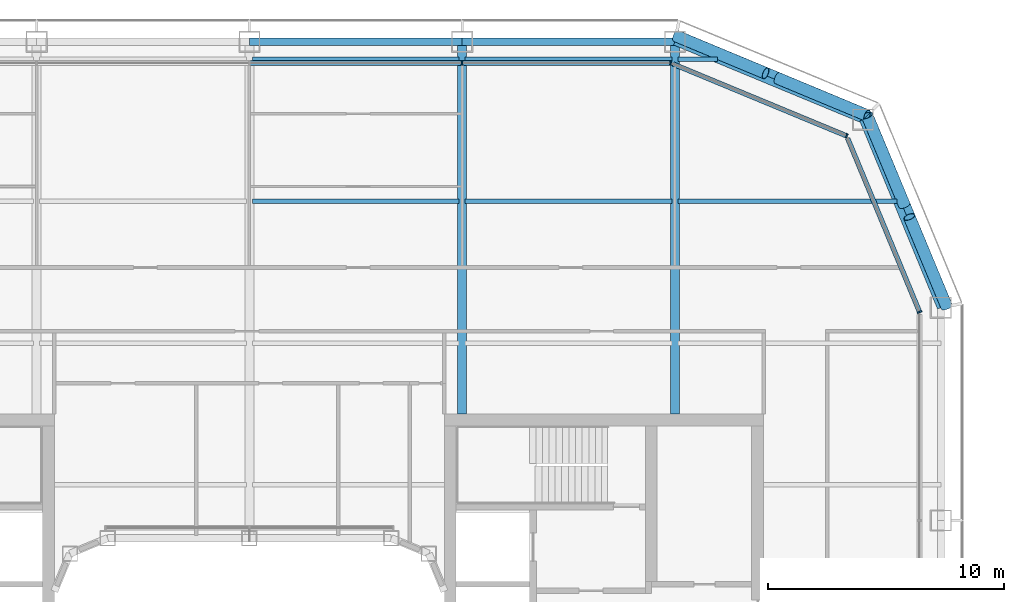
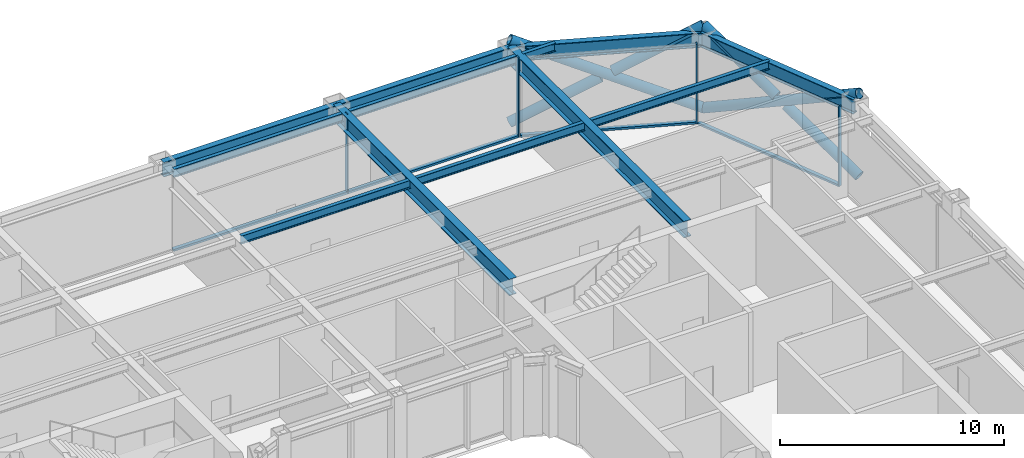
# One storey, part 9 of 23: 14 members, 12 beams, 3 elements without a shape of their own.
"""IFC4 building model written with IfcOpenShell, lengths in metres."""

from ifc_helpers import new_model, si_unit, direction, frame, origin, origin_2d, place, context, subcontext, project, spatial, rectangle, hollow_circle, i_section, extrude, material, layer, layer_set, material_profile, profile_set, type_object, element, aggregate, save


model = new_model("IFC4")

# Units and contexts
model_context = context("Model", 3, precision=1e-05, world=origin(), true_north=direction((0.0, 1.0)))
body_context = subcontext(model_context, "Body", "Model", "MODEL_VIEW")
ifc_project = project(units=[si_unit("LENGTHUNIT", "METRE"), si_unit("AREAUNIT", "SQUARE_METRE"), si_unit("VOLUMEUNIT", "CUBIC_METRE"), si_unit("PLANEANGLEUNIT", "RADIAN"), si_unit("MASSUNIT", "GRAM", prefix="KILO")], contexts=[model_context])

# Site, building, storey
site_placement = place(None, origin())
site = spatial("IfcSite", under=ifc_project, at=site_placement, CompositionType="ELEMENT")
building_placement = place(site_placement, origin())
building = spatial("IfcBuilding", under=site, at=building_placement, Name="Siwar Civic Tower", CompositionType="ELEMENT")
storey_placement = place(building_placement, frame((0.0, 0.0, 145.199951171875)))
storey = spatial("IfcBuildingStorey", under=building, at=storey_placement, Name="L31", CompositionType="ELEMENT", Elevation=145.199951171875)

# Curtain wall, member
ifc_material_1 = material(Name="Aluminium clad insulated panel", Category="aluminium")
ifc_layer_1 = layer(ifc_material_1, 0.199951171875)
ifc_layer_set_1 = layer_set([ifc_layer_1], Name="Aluminium clad insulated panel")
curtain_wall_type_1 = type_object("IfcCurtainWallType", Name="ENV-CW-BX", PredefinedType="NOTDEFINED", material=ifc_layer_set_1)
curtain_wall_1_placement = place(storey_placement, origin())
curtain_wall_1 = element("IfcCurtainWall", 1, at=curtain_wall_1_placement, inside=storey, type_object=curtain_wall_type_1, Name="Curtain wall B NE1", PredefinedType="NOTDEFINED")
ifc_material_2 = material(Name="Aluminium 6063-T6", Category="aluminium")
ifc_material_profile_1 = material_profile(ifc_material_2, rectangle(XDim=0.199951171875, YDim=0.06494140625, at=origin_2d()), Name="AL 200x65")
ifc_profile_set_1 = profile_set([ifc_material_profile_1], Name="Aluminium 6063-T6")
member_type_1 = type_object("IfcMemberType", Name="ENV-MULLION-B", PredefinedType="MULLION", material=ifc_profile_set_1)
member_1_placement = place(storey_placement, frame((28.35009765625, 17.821044921875, 0.0), z_axis=(0.0, 0.0, 1.0), x_axis=(-0.923879532511, -0.382683432365, 0.0)))
member_1 = element("IfcMember", 2, at=member_1_placement, type_object=member_type_1, Name="Mullion B NE1 1", PredefinedType="MULLION", context=body_context, shape_type="SweptSolid", body=[
    extrude(rectangle(XDim=0.199951171875, YDim=0.06494140625, at=origin_2d()), origin(), (0.0, 0.0, 1.0), 4.35009765625),
])

curtain_wall_2_placement = place(storey_placement, origin())
curtain_wall_2 = element("IfcCurtainWall", 3, at=curtain_wall_2_placement, inside=storey, type_object=curtain_wall_type_1, Name="Curtain wall B NE2", PredefinedType="NOTDEFINED")
member_2_placement = place(storey_placement, frame((25.26611328125, 25.26611328125, 0.0), z_axis=(0.0, 0.0, 1.0), x_axis=(-0.382683432365, -0.923879532511, 0.0)))
member_2 = element("IfcMember", 4, at=member_2_placement, type_object=member_type_1, Name="Mullion B NE2 1", PredefinedType="MULLION", context=body_context, shape_type="SweptSolid", body=[
    extrude(rectangle(XDim=0.199951171875, YDim=0.06494140625, at=origin_2d()), origin(), (0.0, 0.0, 1.0), 4.35009765625),
])

# Curtain wall, members
ifc_material_3 = material(Name="Aluminium and glass", Category="aluminium")
ifc_layer_2 = layer(ifc_material_3, 0.199951171875)
ifc_layer_set_2 = layer_set([ifc_layer_2], Name="Aluminium and glass")
curtain_wall_type_2 = type_object("IfcCurtainWallType", Name="ENV-CW-B", PredefinedType="NOTDEFINED", material=ifc_layer_set_2)
curtain_wall_3_placement = place(storey_placement, origin())
curtain_wall_3 = element("IfcCurtainWall", 5, at=curtain_wall_3_placement, inside=storey, type_object=curtain_wall_type_2, Name="Curtain wall B N", PredefinedType="NOTDEFINED")
member_3_placement = place(storey_placement, frame((17.821044921875, 28.35009765625, 0.0), z_axis=(0.0, 0.0, 1.0), x_axis=(0.0, -1.0, 0.0)))
member_3 = element("IfcMember", 6, at=member_3_placement, type_object=member_type_1, Name="Mullion B N 1", PredefinedType="MULLION", context=body_context, shape_type="SweptSolid", body=[
    extrude(rectangle(XDim=0.199951171875, YDim=0.06494140625, at=origin_2d()), origin(), (0.0, 0.0, 1.0), 4.35009765625),
])
member_4_placement = place(storey_placement, frame((9.0, 28.35009765625, 0.0), z_axis=(0.0, 0.0, 1.0), x_axis=(0.0, -1.0, 0.0)))
member_4 = element("IfcMember", 7, at=member_4_placement, type_object=member_type_1, Name="Mullion B N 2", PredefinedType="MULLION", context=body_context, shape_type="SweptSolid", body=[
    extrude(rectangle(XDim=0.199951171875, YDim=0.06494140625, at=origin_2d()), origin(), (0.0, 0.0, 1.0), 4.35009765625),
])

# Member
ifc_material_4 = material(Name="Aluminium 6063-T6", Category="aluminium")
ifc_material_profile_2 = material_profile(ifc_material_4, rectangle(XDim=0.199951171875, YDim=0.110107421875, at=origin_2d()), Name="AL 200x110")
ifc_profile_set_2 = profile_set([ifc_material_profile_2], Name="Aluminium 6063-T6")
member_type_2 = type_object("IfcMemberType", Name="ENV-TRANSOM-B", PredefinedType="USERDEFINED", material=ifc_profile_set_2)
member_5_placement = place(storey_placement, frame((28.337646484375, 17.85107421875, 0.054931640625), z_axis=(-0.382699695651, 0.92387279587, 0.0), x_axis=(-0.92387279587, -0.382699695651, 0.0)))
member_5 = element("IfcMember", 8, at=member_5_placement, type_object=member_type_2, Name="Transom B NE1 1", ObjectType="TRANSOM", PredefinedType="USERDEFINED", context=body_context, shape_type="SweptSolid", body=[
    extrude(rectangle(XDim=0.199951171875, YDim=0.110107421875, at=origin_2d()), origin(), (0.0, 0.0, 1.0), 7.912353515625),
])

aggregate(curtain_wall_1, [member_1, member_5])

member_6_placement = place(storey_placement, frame((25.236083984375, 25.278564453125, 0.054931640625), z_axis=(-0.923883705044, 0.382673358825, 0.0), x_axis=(-0.382673358825, -0.923883705044, 0.0)))
member_6 = element("IfcMember", 9, at=member_6_placement, type_object=member_type_2, Name="Transom B NE2 1", ObjectType="TRANSOM", PredefinedType="USERDEFINED", context=body_context, shape_type="SweptSolid", body=[
    extrude(rectangle(XDim=0.199951171875, YDim=0.110107421875, at=origin_2d()), origin(), (0.0, 0.0, 1.0), 7.912353515625),
])

aggregate(curtain_wall_2, [member_2, member_6])

member_7_placement = place(storey_placement, frame((17.78857421875, 28.35009765625, 0.054931640625), z_axis=(-1.0, 0.0, 0.0), x_axis=(0.0, -1.0, 0.0)))
member_7 = element("IfcMember", 10, at=member_7_placement, type_object=member_type_2, Name="Transom B N 1", ObjectType="TRANSOM", PredefinedType="USERDEFINED", context=body_context, shape_type="SweptSolid", body=[
    extrude(rectangle(XDim=0.199951171875, YDim=0.110107421875, at=origin_2d()), origin(), (0.0, 0.0, 1.0), 8.756103515625),
])

member_8_placement = place(storey_placement, frame((8.967529296875, 28.35009765625, 0.054931640625), z_axis=(-1.0, 0.0, 0.0), x_axis=(0.0, -1.0, 0.0)))
member_8 = element("IfcMember", 11, at=member_8_placement, type_object=member_type_2, Name="Transom B N 2", ObjectType="TRANSOM", PredefinedType="USERDEFINED", context=body_context, shape_type="SweptSolid", body=[
    extrude(rectangle(XDim=0.199951171875, YDim=0.110107421875, at=origin_2d()), origin(), (0.0, 0.0, 1.0), 8.93505859375),
])

aggregate(curtain_wall_3, [member_3, member_4, member_7, member_8])

# Members
ifc_material_5 = material(Name="Steel S355", Category="steel")
ifc_material_profile_3 = material_profile(ifc_material_5, hollow_circle(Radius=0.25390625, WallThickness=0.02490234375, at=origin_2d()), Name="CHS508x25")
ifc_profile_set_3 = profile_set([ifc_material_profile_3], Name="Steel S355")
member_type_3 = type_object("IfcMemberType", Name="STR-BR-CHS508x25", PredefinedType="BRACE", material=ifc_profile_set_3)
member_9_placement = place(storey_placement, frame((26.1318359375, 26.1318359375, 0.0), z_axis=(-0.821142553604, 0.341671493852, 0.457149315816), x_axis=(-0.384163874976, -0.923264922524, 0.0)))
element("IfcMember", 12, at=member_9_placement, inside=storey, type_object=member_type_3, Name="L31/brc/BNE1-10-0-1", PredefinedType="BRACE", context=body_context, shape_type="SweptSolid", body=[
    extrude(hollow_circle(Radius=0.25390625, WallThickness=0.02490234375, at=origin_2d()), origin(), (0.0, 0.0, 1.0), 9.843505859375),
])
for number, where, z_axis, x_axis, name in (
    (13, (18.048828125, 29.4951171875, 0.0), (0.821126041429, -0.341677318012, 0.457174621391), (0.384176042158, 0.923259859753, 0.0), "L31/brc/BNE1-10-0-2"),
    (14, (22.342529296875, 27.70849609375, 2.390625), (0.821163134736, -0.341670737976, 0.457112910516), (0.384154943021, 0.923268638995, 0.0), "L31/brc/BNE1-10-0-3"),
):
    element("IfcMember", number, at=place(storey_placement, frame(where, z_axis=z_axis, x_axis=x_axis)), inside=storey, type_object=member_type_3, Name=name, PredefinedType="BRACE", context=body_context, shape_type="SweptSolid", body=[
        extrude(hollow_circle(Radius=0.25390625, WallThickness=0.02490234375, at=origin_2d()), origin(), (0.0, 0.0, 1.0), 4.614501953125),
    ])
member_10_placement = place(storey_placement, frame((26.1318359375, 26.1318359375, 0.0), z_axis=(0.341671493852, -0.821142553604, 0.457149315816), x_axis=(0.923264922524, 0.384163874976, 0.0)))
element("IfcMember", 15, at=member_10_placement, inside=storey, type_object=member_type_3, Name="L31/brc/BNE1-10-0-0", PredefinedType="BRACE", context=body_context, shape_type="SweptSolid", body=[
    extrude(hollow_circle(Radius=0.25390625, WallThickness=0.02490234375, at=origin_2d()), origin(), (0.0, 0.0, 1.0), 9.843505859375),
])
for number, where, z_axis, x_axis, name in (
    (16, (29.4951171875, 18.048828125, 0.0), (-0.341677318012, 0.821126041429, 0.457174621391), (-0.923259859753, -0.384176042158, 0.0), "L31/brc/BNE1-10-0-4"),
    (17, (27.70849609375, 22.342529296875, 2.390625), (-0.341670737976, 0.821163134736, 0.457112910516), (-0.923268638995, -0.384154943021, 0.0), "L31/brc/BNE1-10-0-5"),
):
    element("IfcMember", number, at=place(storey_placement, frame(where, z_axis=z_axis, x_axis=x_axis)), inside=storey, type_object=member_type_3, Name=name, PredefinedType="BRACE", context=body_context, shape_type="SweptSolid", body=[
        extrude(hollow_circle(Radius=0.25390625, WallThickness=0.02490234375, at=origin_2d()), origin(), (0.0, 0.0, 1.0), 4.614501953125),
    ])

# Beams
ifc_material_6 = material(Name="Steel S355", Category="steel")
ifc_material_profile_4 = material_profile(ifc_material_6, i_section(OverallWidth=0.18994140625, OverallDepth=0.449951171875, WebThickness=0.009521484375, FlangeThickness=0.0146484375, FilletRadius=0.02099609375, at=origin_2d()), Name="IPE450")
ifc_profile_set_4 = profile_set([ifc_material_profile_4], Name="Steel S355")
beam_type_1 = type_object("IfcBeamType", Name="STR-FB-IPE450", PredefinedType="JOIST", material=ifc_profile_set_4)
for number, where, z_axis, x_axis, name in (
    (18, (0.1298828125, 22.5, 4.125), (1.0, 0.0, 0.0), (0.0, 1.0, 0.0), "L31/bm/F040"),
    (19, (9.1298828125, 22.5, 4.125), (1.0, 0.0, 0.0), (0.0, 1.0, 0.0), "L31/bm/F041"),
):
    element("IfcBeam", number, at=place(storey_placement, frame(where, z_axis=z_axis, x_axis=x_axis)), inside=storey, type_object=beam_type_1, Name=name, PredefinedType="JOIST", context=body_context, shape_type="SweptSolid", body=[
        extrude(i_section(OverallWidth=0.18994140625, OverallDepth=0.449951171875, WebThickness=0.009521484375, FlangeThickness=0.0146484375, FilletRadius=0.02099609375, at=origin_2d()), origin(), (0.0, 0.0, 1.0), 8.740234375),
    ])
beam_1_placement = place(storey_placement, frame((18.1298828125, 22.5, 4.125), z_axis=(1.0, 0.0, 0.0), x_axis=(0.0, 1.0, 0.0)))
element("IfcBeam", 20, at=beam_1_placement, inside=storey, type_object=beam_type_1, Name="L31/bm/F042", PredefinedType="JOIST", context=body_context, shape_type="SweptSolid", body=[
    extrude(i_section(OverallWidth=0.18994140625, OverallDepth=0.449951171875, WebThickness=0.009521484375, FlangeThickness=0.0146484375, FilletRadius=0.02099609375, at=origin_2d()), origin(), (0.0, 0.0, 1.0), 9.256103515625),
])
for number, where, z_axis, x_axis, name in (
    (21, (0.1298828125, 28.5, 4.125), (1.0, 0.0, 0.0), (0.0, 1.0, 0.0), "L31/bm/F046"),
    (22, (9.1298828125, 28.5, 4.125), (1.0, 0.0, 0.0), (0.0, 1.0, 0.0), "L31/bm/F047"),
):
    element("IfcBeam", number, at=place(storey_placement, frame(where, z_axis=z_axis, x_axis=x_axis)), inside=storey, type_object=beam_type_1, Name=name, PredefinedType="JOIST", context=body_context, shape_type="SweptSolid", body=[
        extrude(i_section(OverallWidth=0.18994140625, OverallDepth=0.449951171875, WebThickness=0.009521484375, FlangeThickness=0.0146484375, FilletRadius=0.02099609375, at=origin_2d()), origin(), (0.0, 0.0, 1.0), 8.740234375),
    ])
beam_2_placement = place(storey_placement, frame((18.1298828125, 28.5, 4.125), z_axis=(1.0, 0.0, 0.0), x_axis=(0.0, 1.0, 0.0)))
element("IfcBeam", 23, at=beam_2_placement, inside=storey, type_object=beam_type_1, Name="L31/bm/F048", PredefinedType="JOIST", context=body_context, shape_type="SweptSolid", body=[
    extrude(i_section(OverallWidth=0.18994140625, OverallDepth=0.449951171875, WebThickness=0.009521484375, FlangeThickness=0.0146484375, FilletRadius=0.02099609375, at=origin_2d()), origin(), (0.0, 0.0, 1.0), 1.6806640625),
])
ifc_material_7 = material(Name="Steel S355", Category="steel")
ifc_material_profile_5 = material_profile(ifc_material_7, i_section(OverallWidth=0.3798828125, OverallDepth=0.89990234375, WebThickness=0.01611328125, FlangeThickness=0.035888671875, at=origin_2d()), Name="PG900x380x16x36")
ifc_profile_set_5 = profile_set([ifc_material_profile_5], Name="Steel S355")
beam_type_2 = type_object("IfcBeamType", Name="STR-PG-PG900x380x16x36", PredefinedType="BEAM", material=ifc_profile_set_5)
for number, where, z_axis, x_axis, name in (
    (24, (9.0, 13.5, 3.900146484375), (0.0, 1.0, 0.0), (-1.0, 0.0, 0.0), "L31/bm/G08"),
    (25, (18.0, 13.5, 3.900146484375), (0.0, 1.0, 0.0), (-1.0, 0.0, 0.0), "L31/bm/G10"),
):
    element("IfcBeam", number, at=place(storey_placement, frame(where, z_axis=z_axis, x_axis=x_axis)), inside=storey, type_object=beam_type_2, Name=name, PredefinedType="BEAM", context=body_context, shape_type="SweptSolid", body=[
        extrude(i_section(OverallWidth=0.3798828125, OverallDepth=0.89990234375, WebThickness=0.01611328125, FlangeThickness=0.035888671875, at=origin_2d()), origin(), (0.0, 0.0, 1.0), 15.75),
    ])
ifc_material_8 = material(Name="Steel S355", Category="steel")
ifc_material_profile_6 = material_profile(ifc_material_8, i_section(OverallWidth=0.300048828125, OverallDepth=0.800048828125, WebThickness=0.017578125, FlangeThickness=0.032958984375, FilletRadius=0.030029296875, at=origin_2d()), Name="HEB800")
ifc_profile_set_6 = profile_set([ifc_material_profile_6], Name="Steel S355")
beam_type_3 = type_object("IfcBeamType", Name="STR-SB-HEB800", PredefinedType="BEAM", material=ifc_profile_set_6)
for number, where, z_axis, x_axis, name in (
    (26, (29.25, 18.0, 3.949951171875), (-0.382699877515, 0.923872720536, 0.0), (-0.923872720536, -0.382699877515, 0.0), "L31/bm/SNE1-0"),
    (27, (25.954833984375, 25.954833984375, 3.949951171875), (-0.923872720536, 0.382699877515, 0.0), (-0.382699877515, -0.923872720536, 0.0), "L31/bm/SNE2-0"),
):
    element("IfcBeam", number, at=place(storey_placement, frame(where, z_axis=z_axis, x_axis=x_axis)), inside=storey, type_object=beam_type_3, Name=name, PredefinedType="BEAM", context=body_context, shape_type="SweptSolid", body=[
        extrude(i_section(OverallWidth=0.300048828125, OverallDepth=0.800048828125, WebThickness=0.017578125, FlangeThickness=0.032958984375, FilletRadius=0.030029296875, at=origin_2d()), origin(), (0.0, 0.0, 1.0), 8.6103515625),
    ])
for number, where, z_axis, x_axis, name in (
    (28, (18.0, 29.25, 3.949951171875), (-1.0, 0.0, 0.0), (0.0, -1.0, 0.0), "L31/bm/SN-0"),
    (29, (9.0, 29.25, 3.949951171875), (-1.0, 0.0, 0.0), (0.0, -1.0, 0.0), "L31/bm/SN-1"),
):
    element("IfcBeam", number, at=place(storey_placement, frame(where, z_axis=z_axis, x_axis=x_axis)), inside=storey, type_object=beam_type_3, Name=name, PredefinedType="BEAM", context=body_context, shape_type="SweptSolid", body=[
        extrude(i_section(OverallWidth=0.300048828125, OverallDepth=0.800048828125, WebThickness=0.017578125, FlangeThickness=0.032958984375, FilletRadius=0.030029296875, at=origin_2d()), origin(), (0.0, 0.0, 1.0), 9.0),
    ])

save(model, "model.ifc")
